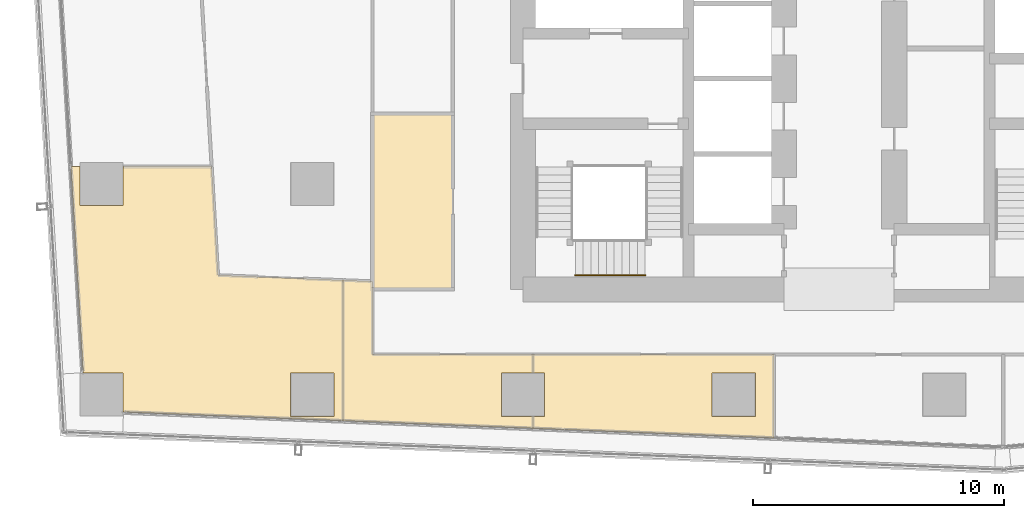
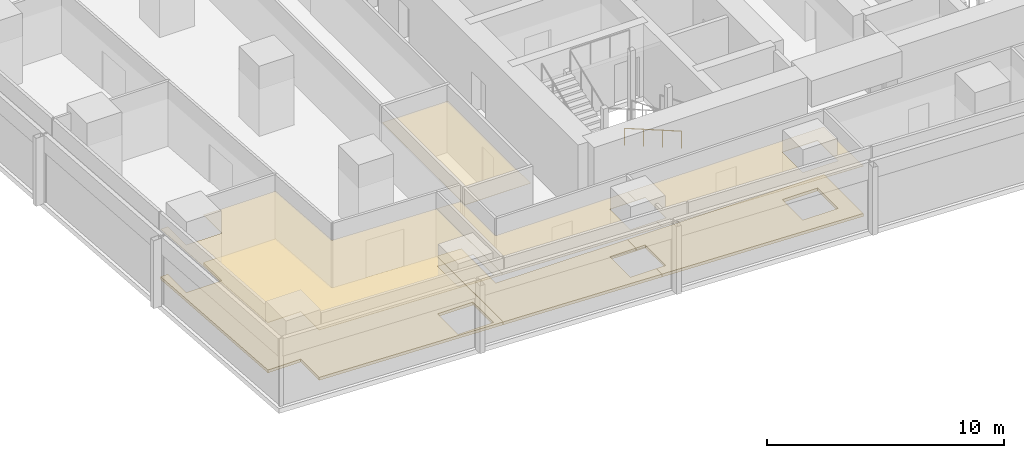
# One storey, part 28 of 34: 7 coverings, 1 railing.
"""IFC4 building model written with IfcOpenShell, lengths in metres."""

from ifc_helpers import new_model, si_unit, direction, frame, origin, origin_2d, place, context, subcontext, project, spatial, polyline, circle, outline, extrude, material, layer, layer_set, type_object, element, save


model = new_model("IFC4")

# Units and contexts
model_context = context("Model", 3, precision=1e-05, world=origin(), true_north=direction((0.0, 1.0)))
body_context = subcontext(model_context, "Body", "Model", "MODEL_VIEW")
ifc_project = project(units=[si_unit("LENGTHUNIT", "METRE"), si_unit("AREAUNIT", "SQUARE_METRE"), si_unit("VOLUMEUNIT", "CUBIC_METRE"), si_unit("PLANEANGLEUNIT", "RADIAN"), si_unit("MASSUNIT", "GRAM", prefix="KILO")], contexts=[model_context])

# Site, building, storey
site_placement = place(None, origin())
site = spatial("IfcSite", under=ifc_project, at=site_placement, CompositionType="ELEMENT")
building_placement = place(site_placement, origin())
building = spatial("IfcBuilding", under=site, at=building_placement, Name="Rekha Terrace Tower", CompositionType="ELEMENT")
storey_placement = place(building_placement, frame((0.0, 0.0, 176.449951171875)))
storey = spatial("IfcBuildingStorey", under=building, at=storey_placement, Name="L44", CompositionType="ELEMENT", Elevation=176.449951171875)

# Coverings
ifc_material_1 = material(Name="Mineral fibre tile in exposed grid", Category="finish")
ifc_layer_1 = layer(ifc_material_1, 0.02001953125)
ifc_layer_set_1 = layer_set([ifc_layer_1], Name="Mineral fibre tile in exposed grid")
covering_type_1 = type_object("IfcCoveringType", Name="CL1 600x1200 office grid ceiling", PredefinedType="CEILING", material=ifc_layer_set_1)
covering_1_placement = place(storey_placement, frame((0.0, 0.0, 2.580078125)))
element("IfcCovering", 1, at=covering_1_placement, inside=storey, type_object=covering_type_1, Name="Ceiling L44-16", PredefinedType="CEILING", context=body_context, shape_type="SweptSolid", body=[
    extrude(outline(polyline([(7.534912109375, 24.3349609375), (7.534912109375, 25.887939453125), (7.179931640625, 25.887939453125), (7.6640625, 17.6650390625), (9.264892578125, 17.6650390625), (9.264892578125, 16.111083984375), (18.032958984375, 15.760986328125), (18.032958984375, 21.364990234375), (13.0439453125, 21.56396484375), (12.7900390625, 25.887939453125), (9.264892578125, 25.887939453125), (9.264892578125, 24.3349609375), (7.534912109375, 24.3349609375)]), holes=[polyline([(17.6650390625, 17.6650390625), (17.6650390625, 15.93505859375), (15.93505859375, 15.93505859375), (15.93505859375, 17.6650390625), (17.6650390625, 17.6650390625)])]), origin(), (0.0, 0.0, 1.0), 0.02001953125),
])
covering_2_placement = place(storey_placement, frame((0.0, 0.0, 2.580078125)))
element("IfcCovering", 2, at=covering_2_placement, inside=storey, type_object=covering_type_1, Name="Ceiling L44-17", PredefinedType="CEILING", context=body_context, shape_type="SweptSolid", body=[
    extrude(outline(polyline([(24.3349609375, 17.6650390625), (25.60107421875, 17.6650390625), (25.60107421875, 18.39990234375), (19.199951171875, 18.39990234375), (19.199951171875, 21.319091796875), (18.033935546875, 21.364990234375), (18.033935546875, 15.760986328125), (25.60107421875, 15.458984375), (25.60107421875, 15.93505859375), (24.3349609375, 15.93505859375), (24.3349609375, 17.6650390625)])), origin(), (0.0, 0.0, 1.0), 0.02001953125),
])
covering_3_placement = place(storey_placement, frame((0.0, 0.0, 2.580078125)))
element("IfcCovering", 3, at=covering_3_placement, inside=storey, type_object=covering_type_1, Name="Ceiling L44-18", PredefinedType="CEILING", context=body_context, shape_type="SweptSolid", body=[
    extrude(outline(polyline([(25.60205078125, 15.93505859375), (25.60205078125, 15.458984375), (35.198974609375, 15.075927734375), (35.198974609375, 18.39990234375), (25.60205078125, 18.39990234375), (25.60205078125, 17.6650390625), (26.06494140625, 17.6650390625), (26.06494140625, 15.93505859375), (25.60205078125, 15.93505859375)]), holes=[polyline([(34.465087890625, 15.93505859375), (32.735107421875, 15.93505859375), (32.735107421875, 17.6650390625), (34.465087890625, 17.6650390625), (34.465087890625, 15.93505859375)])]), origin(), (0.0, 0.0, 1.0), 0.02001953125),
])
ifc_material_2 = material(Name="Fibre cement board", Category="finish")
ifc_layer_2 = layer(ifc_material_2, 0.014892578125)
ifc_layer_set_2 = layer_set([ifc_layer_2], Name="Fibre cement board")
covering_type_2 = type_object("IfcCoveringType", Name="CL2 moisture-resistant board ceiling", PredefinedType="CEILING", material=ifc_layer_set_2)
covering_4_placement = place(storey_placement, frame((0.0, 0.0, 2.5849609375)))
element("IfcCovering", 4, at=covering_4_placement, inside=storey, type_object=covering_type_2, Name="Ceiling L44-WCM", PredefinedType="CEILING", context=body_context, shape_type="SweptSolid", body=[
    extrude(outline(polyline([(22.39990234375, 28.0), (19.199951171875, 28.0), (19.199951171875, 21.0), (22.39990234375, 21.0), (22.39990234375, 28.0)])), origin(), (0.0, 0.0, 1.0), 0.01513671875),
])

# Railing
ifc_material_3 = material(Name="Stainless steel tube", Category="steel")
railing_type = type_object("IfcRailingType", Name="HR1 900 stair handrail", PredefinedType="HANDRAIL", material=ifc_material_3)
railing_placement = place(storey_placement, frame((30.074951171875, 21.56005859375, 1.375)))
element("IfcRailing", 5, at=railing_placement, inside=storey, type_object=railing_type, Name="Handrail ST1 L44 flight 2", PredefinedType="HANDRAIL", context=body_context, shape_type="SweptSolid", body=[
    extrude(circle(Radius=0.02392578125, at=origin_2d()), frame((0.0, 0.0, 0.8759765625), z_axis=(-0.927443287984, 0.0, 0.373963831907), x_axis=(0.0, -1.0, 0.0)), (0.0, 0.0, 1.0), 3.00830078125),
    extrude(circle(Radius=0.02099609375, at=origin_2d()), origin(), (0.0, 0.0, 1.0), 0.851806640625),
    extrude(circle(Radius=0.02099609375, at=origin_2d()), frame((-0.929931640625, 0.0, 0.375)), (0.0, 0.0, 1.0), 0.851806640625),
    extrude(circle(Radius=0.02099609375, at=origin_2d()), frame((-1.860107421875, 0.0, 0.75)), (0.0, 0.0, 1.0), 0.851806640625),
    extrude(circle(Radius=0.02099609375, at=origin_2d()), frame((-2.7900390625, 0.0, 1.125)), (0.0, 0.0, 1.0), 0.851806640625),
])

# Coverings
ifc_material_4 = material(Name="Calcium sulphate panels on steel pedestals", Category="steel")
ifc_layer_3 = layer(ifc_material_4, 0.14990234375)
ifc_layer_set_3 = layer_set([ifc_layer_3], Name="Calcium sulphate panels on steel pedestals")
covering_type_3 = type_object("IfcCoveringType", Name="RF1 150 raised access floor", PredefinedType="FLOORING", material=ifc_layer_set_3)
covering_5_placement = place(storey_placement, origin())
element("IfcCovering", 6, at=covering_5_placement, inside=storey, type_object=covering_type_3, Name="Raised floor L44-16", PredefinedType="FLOORING", context=body_context, shape_type="SweptSolid", body=[
    extrude(outline(polyline([(7.534912109375, 24.3349609375), (7.534912109375, 25.887939453125), (7.179931640625, 25.887939453125), (7.6640625, 17.6650390625), (9.264892578125, 17.6650390625), (9.264892578125, 16.111083984375), (18.032958984375, 15.760986328125), (18.032958984375, 21.364990234375), (13.0439453125, 21.56396484375), (12.7900390625, 25.887939453125), (9.264892578125, 25.887939453125), (9.264892578125, 24.3349609375), (7.534912109375, 24.3349609375)]), holes=[polyline([(17.6650390625, 17.6650390625), (17.6650390625, 15.93505859375), (15.93505859375, 15.93505859375), (15.93505859375, 17.6650390625), (17.6650390625, 17.6650390625)])]), origin(), (0.0, 0.0, 1.0), 0.150146484375),
])
covering_6_placement = place(storey_placement, origin())
element("IfcCovering", 7, at=covering_6_placement, inside=storey, type_object=covering_type_3, Name="Raised floor L44-17", PredefinedType="FLOORING", context=body_context, shape_type="SweptSolid", body=[
    extrude(outline(polyline([(24.3349609375, 17.6650390625), (25.60107421875, 17.6650390625), (25.60107421875, 18.39990234375), (19.199951171875, 18.39990234375), (19.199951171875, 21.319091796875), (18.033935546875, 21.364990234375), (18.033935546875, 15.760986328125), (25.60107421875, 15.458984375), (25.60107421875, 15.93505859375), (24.3349609375, 15.93505859375), (24.3349609375, 17.6650390625)])), origin(), (0.0, 0.0, 1.0), 0.150146484375),
])
covering_7_placement = place(storey_placement, origin())
element("IfcCovering", 8, at=covering_7_placement, inside=storey, type_object=covering_type_3, Name="Raised floor L44-18", PredefinedType="FLOORING", context=body_context, shape_type="SweptSolid", body=[
    extrude(outline(polyline([(25.60205078125, 15.93505859375), (25.60205078125, 15.458984375), (35.198974609375, 15.075927734375), (35.198974609375, 18.39990234375), (25.60205078125, 18.39990234375), (25.60205078125, 17.6650390625), (26.06494140625, 17.6650390625), (26.06494140625, 15.93505859375), (25.60205078125, 15.93505859375)]), holes=[polyline([(34.465087890625, 15.93505859375), (32.735107421875, 15.93505859375), (32.735107421875, 17.6650390625), (34.465087890625, 17.6650390625), (34.465087890625, 15.93505859375)])]), origin(), (0.0, 0.0, 1.0), 0.150146484375),
])

save(model, "model.ifc")
